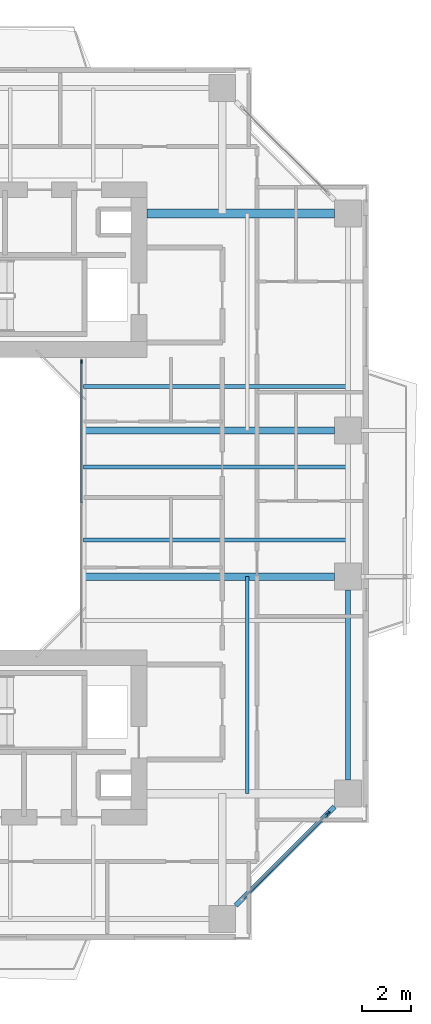
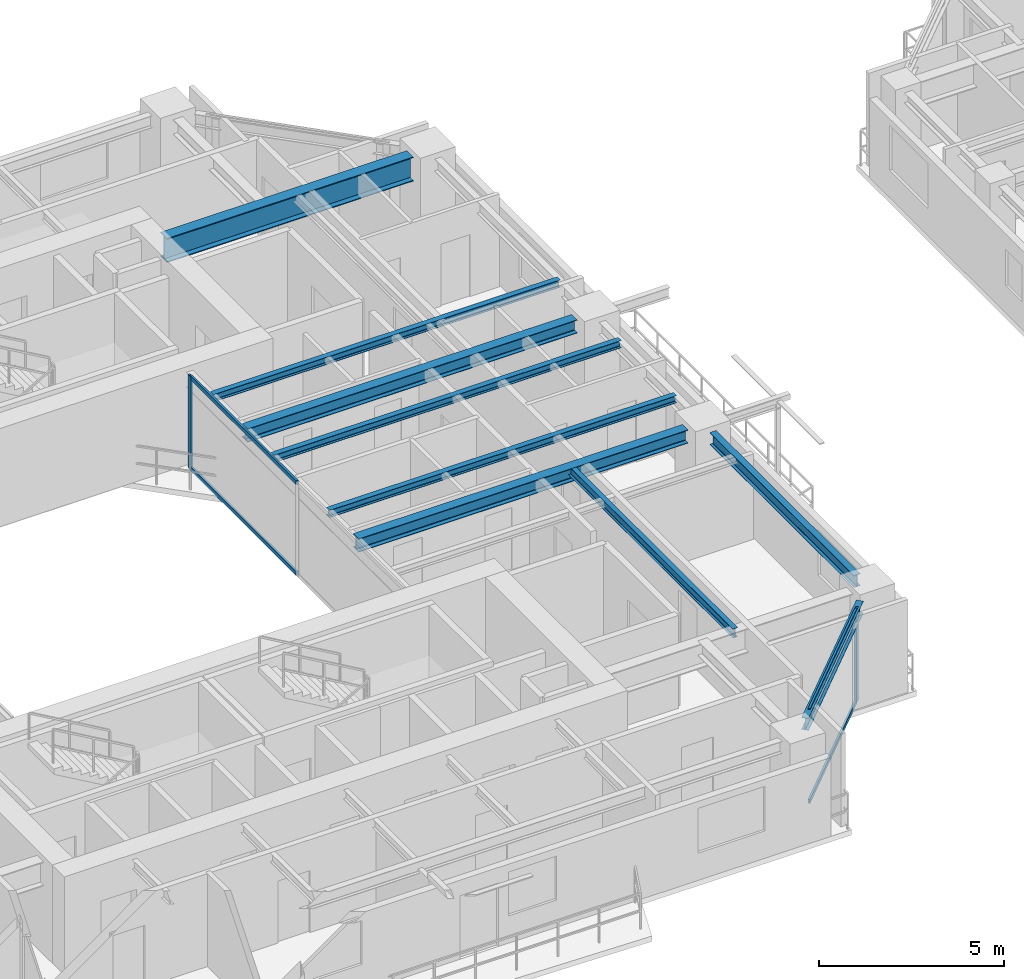
# One storey, part 6 of 24: 9 beams, 6 members, 2 elements without a shape of their own.
"""IFC4 building model written with IfcOpenShell, lengths in metres."""

from ifc_helpers import new_model, si_unit, direction, frame, origin, origin_2d, place, context, subcontext, project, spatial, rectangle, i_section, extrude, source, transform, mapped, material, layer, layer_set, material_profile, profile_set, type_object, element, aggregate, save


model = new_model("IFC4")

# Units and contexts
model_context = context("Model", 3, precision=1e-05, world=origin(), true_north=direction((0.0, 1.0)))
body_context = subcontext(model_context, "Body", "Model", "MODEL_VIEW")
ifc_project = project(units=[si_unit("LENGTHUNIT", "METRE"), si_unit("AREAUNIT", "SQUARE_METRE"), si_unit("VOLUMEUNIT", "CUBIC_METRE"), si_unit("PLANEANGLEUNIT", "RADIAN"), si_unit("MASSUNIT", "GRAM", prefix="KILO"), si_unit("THERMODYNAMICTEMPERATUREUNIT", "KELVIN"), si_unit("POWERUNIT", "WATT")], contexts=[model_context])

# Site, building, storey
site_placement = place(None, origin())
site = spatial("IfcSite", under=ifc_project, at=site_placement, CompositionType="ELEMENT")
building_placement = place(site_placement, origin())
building = spatial("IfcBuilding", under=site, at=building_placement, Name="Qiaomeng Ring Towers", CompositionType="ELEMENT")
storey_placement = place(building_placement, frame((0.0, 0.0, 110.0)))
storey = spatial("IfcBuildingStorey", under=building, at=storey_placement, Name="L31", CompositionType="ELEMENT", Elevation=110.0)

# Beams
ifc_material_1 = material(Name="Steel Q355B", Category="steel")
ifc_material_profile_1 = material_profile(ifc_material_1, i_section(OverallWidth=0.199951171875, OverallDepth=0.39990234375, WebThickness=0.008056640625, FlangeThickness=0.012939453125, FilletRadius=0.01611328125, at=origin_2d()), Name="HN 400x200x8x13")
ifc_profile_set_1 = profile_set([ifc_material_profile_1], Name="Steel Q355B")
beam_type_1 = type_object("IfcBeamType", Name="STR-BM-HN400", PredefinedType="SPANDREL", material=ifc_profile_set_1)
shared_shape_1 = source(origin(), body_context, "Body", "SweptSolid", [
    extrude(i_section(OverallWidth=0.199951171875, OverallDepth=0.39990234375, WebThickness=0.008056640625, FlangeThickness=0.012939453125, FilletRadius=0.01611328125, at=origin_2d()), origin(), (0.0, 0.0, 1.0), 5.729736328125),
])
beam_1_placement = place(storey_placement, frame((31.44921875, 6.499267578125, 2.8701171875), z_axis=(0.707106781187, 0.707106781187, 0.0), x_axis=(-0.707106781187, 0.707106781187, 0.0)))
element("IfcBeam", 1, at=beam_1_placement, inside=storey, type_object=beam_type_1, Name="L31 beam STR-SP-L31-T1-S2-E1", PredefinedType="SPANDREL", context=body_context, shape_type="MappedRepresentation", body=[
    mapped(shared_shape_1, transform((0.0, 0.0, 0.0), x_axis=(1.0, 0.0, 0.0), y_axis=(0.0, 1.0, 0.0), z_axis=(0.0, 0.0, 1.0), scale=1.0)),
])
shared_shape_2 = source(origin(), body_context, "Body", "SweptSolid", [
    extrude(i_section(OverallWidth=0.199951171875, OverallDepth=0.39990234375, WebThickness=0.008056640625, FlangeThickness=0.012939453125, FilletRadius=0.01611328125, at=origin_2d()), origin(), (0.0, 0.0, 1.0), 7.802001953125),
])
beam_2_placement = place(storey_placement, frame((36.050048828125, 11.64892578125, 2.8701171875), z_axis=(0.0, 1.0, 0.0), x_axis=(-1.0, 0.0, 0.0)))
element("IfcBeam", 2, at=beam_2_placement, inside=storey, type_object=beam_type_1, Name="L31 beam STR-SP-L31-T1-E1-E2", PredefinedType="SPANDREL", context=body_context, shape_type="MappedRepresentation", body=[
    mapped(shared_shape_2, transform((0.0, 0.0, 0.0), x_axis=(1.0, 0.0, 0.0), y_axis=(0.0, 1.0, 0.0), z_axis=(0.0, 0.0, 1.0), scale=1.0)),
])
ifc_material_2 = material(Name="Steel Q390GJC", Category="steel")
ifc_material_profile_2 = material_profile(ifc_material_2, i_section(OverallWidth=0.35009765625, OverallDepth=0.800048828125, WebThickness=0.01611328125, FlangeThickness=0.028076171875, at=origin_2d()), Name="WH 800x350x16x28")
ifc_profile_set_2 = profile_set([ifc_material_profile_2], Name="Steel Q390GJC")
beam_type_2 = type_object("IfcBeamType", Name="STR-BM-WH800", PredefinedType="BEAM", material=ifc_profile_set_2)
shared_shape_3 = source(origin(), body_context, "Body", "SweptSolid", [
    extrude(i_section(OverallWidth=0.35009765625, OverallDepth=0.800048828125, WebThickness=0.01611328125, FlangeThickness=0.028076171875, at=origin_2d()), origin(), (0.0, 0.0, 1.0), 7.700927734375),
])
beam_3_placement = place(storey_placement, frame((27.800048828125, 34.89990234375, 2.669921875), z_axis=(1.0, 0.0, 0.0), x_axis=(0.0, 1.0, 0.0)))
element("IfcBeam", 3, at=beam_3_placement, inside=storey, type_object=beam_type_2, Name="L31 beam STR-BM-L31-T1-RAD-E4", PredefinedType="BEAM", context=body_context, shape_type="MappedRepresentation", body=[
    mapped(shared_shape_3, transform((0.0, 0.0, 0.0), x_axis=(1.0, 0.0, 0.0), y_axis=(0.0, 1.0, 0.0), z_axis=(0.0, 0.0, 1.0), scale=1.0)),
])
ifc_material_profile_3 = material_profile(ifc_material_1, i_section(OverallWidth=0.300048828125, OverallDepth=0.43994140625, WebThickness=0.010986328125, FlangeThickness=0.01806640625, FilletRadius=0.02392578125, at=origin_2d()), Name="HM 440x300x11x18")
ifc_profile_set_3 = profile_set([ifc_material_profile_3], Name="Steel Q355B")
beam_type_3 = type_object("IfcBeamType", Name="STR-BM-HM440", PredefinedType="BEAM", material=ifc_profile_set_3)
shared_shape_4 = source(origin(), body_context, "Body", "SweptSolid", [
    extrude(i_section(OverallWidth=0.300048828125, OverallDepth=0.43994140625, WebThickness=0.010986328125, FlangeThickness=0.01806640625, FilletRadius=0.02392578125, at=origin_2d()), origin(), (0.0, 0.0, 1.0), 10.301025390625),
])
for number, where, z_axis, x_axis, name in (
    (4, (25.199951171875, 20.0, 2.85009765625), (1.0, 0.0, 0.0), (0.0, 1.0, 0.0), "L31 beam STR-BM-L31-T1-RAD-E2"),
    (5, (25.199951171875, 26.0, 2.85009765625), (1.0, 0.0, 0.0), (0.0, 1.0, 0.0), "L31 beam STR-BM-L31-T1-RAD-E3"),
):
    element("IfcBeam", number, at=place(storey_placement, frame(where, z_axis=z_axis, x_axis=x_axis)), inside=storey, type_object=beam_type_3, Name=name, PredefinedType="BEAM", context=body_context, shape_type="MappedRepresentation", body=[
        mapped(shared_shape_4, transform((0.0, 0.0, 0.0), x_axis=(1.0, 0.0, 0.0), y_axis=(0.0, 1.0, 0.0), z_axis=(0.0, 0.0, 1.0), scale=1.0)),
    ])
ifc_material_profile_4 = material_profile(ifc_material_1, i_section(OverallWidth=0.175048828125, OverallDepth=0.243896484375, WebThickness=0.007080078125, FlangeThickness=0.010986328125, FilletRadius=0.01611328125, at=origin_2d()), Name="HM 244x175x7x11")
ifc_profile_set_4 = profile_set([ifc_material_profile_4], Name="Steel Q355B")
beam_type_4 = type_object("IfcBeamType", Name="STR-BM-HM244", PredefinedType="JOIST", material=ifc_profile_set_4)
shared_shape_5 = source(origin(), body_context, "Body", "SweptSolid", [
    extrude(i_section(OverallWidth=0.175048828125, OverallDepth=0.243896484375, WebThickness=0.007080078125, FlangeThickness=0.010986328125, FilletRadius=0.01611328125, at=origin_2d()), origin(), (0.0, 0.0, 1.0), 10.85009765625),
])
for number, where, z_axis, x_axis, name in (
    (6, (25.199951171875, 21.5, 2.947998046875), (1.0, 0.0, 0.0), (0.0, 1.0, 0.0), "L31 beam STR-JST-L31-T1E-2"),
    (7, (25.199951171875, 24.5, 2.947998046875), (1.0, 0.0, 0.0), (0.0, 1.0, 0.0), "L31 beam STR-JST-L31-T1E-3"),
    (8, (25.199951171875, 27.800048828125, 2.947998046875), (1.0, 0.0, 0.0), (0.0, 1.0, 0.0), "L31 beam STR-JST-L31-T1E-4"),
):
    element("IfcBeam", number, at=place(storey_placement, frame(where, z_axis=z_axis, x_axis=x_axis)), inside=storey, type_object=beam_type_4, Name=name, PredefinedType="JOIST", context=body_context, shape_type="MappedRepresentation", body=[
        mapped(shared_shape_5, transform((0.0, 0.0, 0.0), x_axis=(1.0, 0.0, 0.0), y_axis=(0.0, 1.0, 0.0), z_axis=(0.0, 0.0, 1.0), scale=1.0)),
    ])
ifc_material_profile_5 = material_profile(ifc_material_1, i_section(OverallWidth=0.14990234375, OverallDepth=0.300048828125, WebThickness=0.006591796875, FlangeThickness=0.009033203125, FilletRadius=0.012939453125, at=origin_2d()), Name="HN 300x150x6.5x9")
ifc_profile_set_5 = profile_set([ifc_material_profile_5], Name="Steel Q355B")
beam_type_5 = type_object("IfcBeamType", Name="STR-BM-HN300", PredefinedType="JOIST", material=ifc_profile_set_5)
shared_shape_6 = source(origin(), body_context, "Body", "SweptSolid", [
    extrude(i_section(OverallWidth=0.14990234375, OverallDepth=0.300048828125, WebThickness=0.006591796875, FlangeThickness=0.009033203125, FilletRadius=0.012939453125, at=origin_2d()), origin(), (0.0, 0.0, 1.0), 8.89990234375),
])
beam_4_placement = place(storey_placement, frame((31.925048828125, 11.10009765625, 2.919921875), z_axis=(0.0, 1.0, 0.0), x_axis=(-1.0, 0.0, 0.0)))
element("IfcBeam", 9, at=beam_4_placement, inside=storey, type_object=beam_type_5, Name="L31 beam STR-JST-L31-T1C-ES", PredefinedType="JOIST", context=body_context, shape_type="MappedRepresentation", body=[
    mapped(shared_shape_6, transform((0.0, 0.0, 0.0), x_axis=(1.0, 0.0, 0.0), y_axis=(0.0, 1.0, 0.0), z_axis=(0.0, 0.0, 1.0), scale=1.0)),
])

# Curtain wall, members
ifc_material_3 = material(Name="Fluorocarbon dark-grey aluminium", Category="aluminium")
ifc_layer_1 = layer(ifc_material_3, 0.139892578125, Name="Fluorocarbon dark-grey aluminium")
ifc_layer_set_1 = layer_set([ifc_layer_1], Name="Fluorocarbon dark-grey aluminium")
curtain_wall_type_1 = type_object("IfcCurtainWallType", Name="ARC-CW-4", PredefinedType="NOTDEFINED", material=ifc_layer_set_1)
curtain_wall_1_placement = place(storey_placement, origin())
curtain_wall_1 = element("IfcCurtainWall", 10, at=curtain_wall_1_placement, inside=storey, type_object=curtain_wall_type_1, Name="L31 Curtain Wall CW4", PredefinedType="NOTDEFINED")
ifc_material_profile_6 = material_profile(ifc_material_3, rectangle(XDim=0.06494140625, YDim=0.159912109375, at=origin_2d()), Name="ALU MULL 65x160")
ifc_profile_set_6 = profile_set([ifc_material_profile_6], Name="Fluorocarbon dark-grey aluminium")
member_type_1 = type_object("IfcMemberType", Name="ARC-CWM-140", PredefinedType="MULLION", material=ifc_profile_set_6)
shared_shape_7 = source(origin(), body_context, "Body", "SweptSolid", [
    extrude(rectangle(XDim=0.06494140625, YDim=0.159912109375, at=origin_2d()), origin(), (0.0, 0.0, 1.0), 3.070068359375),
])
member_1_placement = place(storey_placement, frame((25.1201171875, 28.8173828125, 0.0), z_axis=(0.0, 0.0, 1.0), x_axis=(-1.0, 0.0, 0.0)))
member_1 = element("IfcMember", 11, at=member_1_placement, type_object=member_type_1, Name="CW4 mullion 3", PredefinedType="MULLION", context=body_context, shape_type="MappedRepresentation", body=[
    mapped(shared_shape_7, transform((0.0, 0.0, 0.0), x_axis=(1.0, 0.0, 0.0), y_axis=(0.0, 1.0, 0.0), z_axis=(0.0, 0.0, 1.0), scale=1.0)),
])
ifc_material_profile_7 = material_profile(ifc_material_3, rectangle(XDim=0.06494140625, YDim=0.1298828125, at=origin_2d()), Name="ALU TRAN 65x130")
ifc_profile_set_7 = profile_set([ifc_material_profile_7], Name="Fluorocarbon dark-grey aluminium")
member_type_2 = type_object("IfcMemberType", Name="ARC-CWT-120", PredefinedType="USERDEFINED", material=ifc_profile_set_7)
shared_shape_8 = source(origin(), body_context, "Body", "SweptSolid", [
    extrude(rectangle(XDim=0.06494140625, YDim=0.1298828125, at=origin_2d()), origin(), (0.0, 0.0, 1.0), 5.75244140625),
])
member_2_placement = place(storey_placement, frame((25.1201171875, 23.032470703125, 0.032470703125), z_axis=(0.0, 1.0, 0.0), x_axis=(-1.0, 0.0, 0.0)))
member_2 = element("IfcMember", 12, at=member_2_placement, type_object=member_type_2, Name="CW4 transom 2.1", ObjectType="TRANSOM", PredefinedType="USERDEFINED", context=body_context, shape_type="MappedRepresentation", body=[
    mapped(shared_shape_8, transform((0.0, 0.0, 0.0), x_axis=(1.0, 0.0, 0.0), y_axis=(0.0, 1.0, 0.0), z_axis=(0.0, 0.0, 1.0), scale=1.0)),
])
member_3_placement = place(storey_placement, frame((25.1201171875, 23.032470703125, 3.03759765625), z_axis=(0.0, 1.0, 0.0), x_axis=(-1.0, 0.0, 0.0)))
member_3 = element("IfcMember", 13, at=member_3_placement, type_object=member_type_2, Name="CW4 transom 2.2", ObjectType="TRANSOM", PredefinedType="USERDEFINED", context=body_context, shape_type="MappedRepresentation", body=[
    mapped(shared_shape_8, transform((0.0, 0.0, 0.0), x_axis=(1.0, 0.0, 0.0), y_axis=(0.0, 1.0, 0.0), z_axis=(0.0, 0.0, 1.0), scale=1.0)),
])
aggregate(curtain_wall_1, [member_1, member_2, member_3])

ifc_layer_2 = layer(ifc_material_3, 0.14990234375, Name="Fluorocarbon dark-grey aluminium")
ifc_layer_set_2 = layer_set([ifc_layer_2], Name="Fluorocarbon dark-grey aluminium")
curtain_wall_type_2 = type_object("IfcCurtainWallType", Name="ARC-CW-3", PredefinedType="NOTDEFINED", material=ifc_layer_set_2)
curtain_wall_2_placement = place(storey_placement, origin())
curtain_wall_2 = element("IfcCurtainWall", 14, at=curtain_wall_2_placement, inside=storey, type_object=curtain_wall_type_2, Name="L31 Curtain Wall CW3", PredefinedType="NOTDEFINED")
ifc_material_profile_8 = material_profile(ifc_material_3, rectangle(XDim=0.070068359375, YDim=0.179931640625, at=origin_2d()), Name="ALU MULL 70x180")
ifc_profile_set_8 = profile_set([ifc_material_profile_8], Name="Fluorocarbon dark-grey aluminium")
member_type_3 = type_object("IfcMemberType", Name="ARC-CWM-160", PredefinedType="MULLION", material=ifc_profile_set_8)
shared_shape_9 = source(origin(), body_context, "Body", "SweptSolid", [
    extrude(rectangle(XDim=0.070068359375, YDim=0.179931640625, at=origin_2d()), origin(), (0.0, 0.0, 1.0), 3.070068359375),
])
member_4_placement = place(storey_placement, frame((35.2353515625, 10.28515625, 0.0), z_axis=(0.0, 0.0, 1.0), x_axis=(-0.707106781187, 0.707106781187, 0.0)))
member_4 = element("IfcMember", 15, at=member_4_placement, type_object=member_type_3, Name="CW3 mullion 2", PredefinedType="MULLION", context=body_context, shape_type="MappedRepresentation", body=[
    mapped(shared_shape_9, transform((0.0, 0.0, 0.0), x_axis=(1.0, 0.0, 0.0), y_axis=(0.0, 1.0, 0.0), z_axis=(0.0, 0.0, 1.0), scale=1.0)),
])
shared_shape_10 = source(origin(), body_context, "Body", "SweptSolid", [
    extrude(rectangle(XDim=0.06494140625, YDim=0.1298828125, at=origin_2d()), origin(), (0.0, 0.0, 1.0), 4.90869140625),
])
member_5_placement = place(storey_placement, frame((31.739501953125, 6.78955078125, 0.032470703125), z_axis=(0.707106781187, 0.707106781187, 0.0), x_axis=(-0.707106781187, 0.707106781187, 0.0)))
member_5 = element("IfcMember", 16, at=member_5_placement, type_object=member_type_2, Name="CW3 transom 1.1", ObjectType="TRANSOM", PredefinedType="USERDEFINED", context=body_context, shape_type="MappedRepresentation", body=[
    mapped(shared_shape_10, transform((0.0, 0.0, 0.0), x_axis=(1.0, 0.0, 0.0), y_axis=(0.0, 1.0, 0.0), z_axis=(0.0, 0.0, 1.0), scale=1.0)),
])
member_6_placement = place(storey_placement, frame((31.739501953125, 6.78955078125, 3.03759765625), z_axis=(0.707106781187, 0.707106781187, 0.0), x_axis=(-0.707106781187, 0.707106781187, 0.0)))
member_6 = element("IfcMember", 17, at=member_6_placement, type_object=member_type_2, Name="CW3 transom 1.2", ObjectType="TRANSOM", PredefinedType="USERDEFINED", context=body_context, shape_type="MappedRepresentation", body=[
    mapped(shared_shape_10, transform((0.0, 0.0, 0.0), x_axis=(1.0, 0.0, 0.0), y_axis=(0.0, 1.0, 0.0), z_axis=(0.0, 0.0, 1.0), scale=1.0)),
])
aggregate(curtain_wall_2, [member_4, member_5, member_6])

save(model, "model.ifc")
